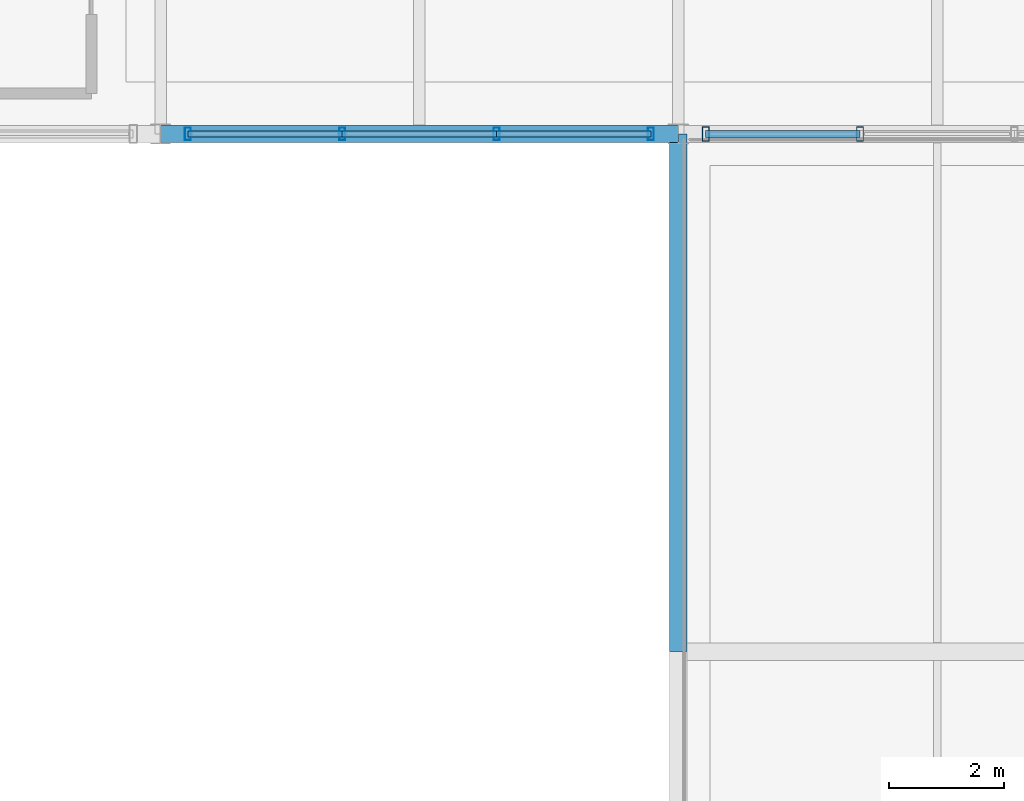
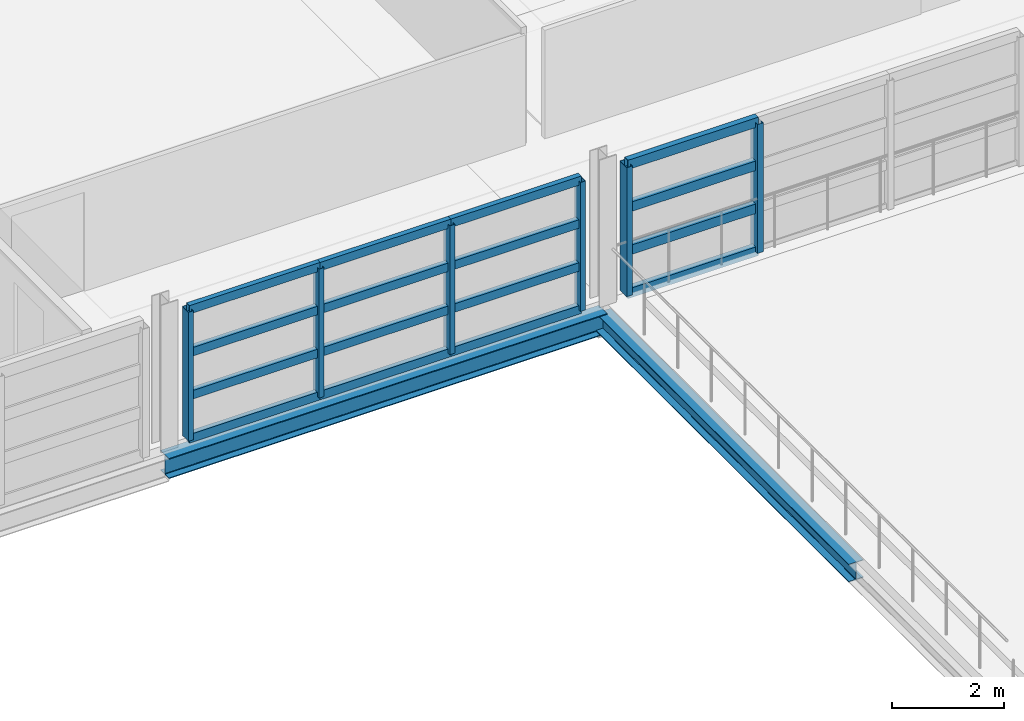
# One storey, part 8 of 30: 22 members, 2 beams, 2 elements without a shape of their own.
"""IFC4 building model written with IfcOpenShell, lengths in metres."""

from ifc_helpers import new_model, si_unit, direction, frame, origin, origin_2d, place, context, subcontext, project, spatial, hollow_rectangle, i_section, extrude, material, material_profile, profile_set, type_object, element, aggregate, save


model = new_model("IFC4")

# Units and contexts
model_context = context("Model", 3, precision=1e-05, world=origin(), true_north=direction((0.0, 1.0)))
body_context = subcontext(model_context, "Body", "Model", "MODEL_VIEW")
ifc_project = project(units=[si_unit("LENGTHUNIT", "METRE"), si_unit("AREAUNIT", "SQUARE_METRE"), si_unit("VOLUMEUNIT", "CUBIC_METRE"), si_unit("PLANEANGLEUNIT", "RADIAN"), si_unit("MASSUNIT", "GRAM", prefix="KILO")], contexts=[model_context])

# Site, building, storey
site_placement = place(None, origin())
site = spatial("IfcSite", under=ifc_project, at=site_placement, CompositionType="ELEMENT")
building_placement = place(site_placement, origin())
building = spatial("IfcBuilding", under=site, at=building_placement, Name="Chuanluo Vaults Station", CompositionType="ELEMENT")
storey_placement = place(building_placement, frame((0.0, 0.0, 17.60009765625)))
storey = spatial("IfcBuildingStorey", under=building, at=storey_placement, Name="L04", CompositionType="ELEMENT", Elevation=17.60009765625)

# Beams
ifc_material_1 = material(Name="Steel Q355C", Category="steel")
ifc_material_profile_1 = material_profile(ifc_material_1, i_section(OverallWidth=0.300048828125, OverallDepth=0.389892578125, WebThickness=0.010009765625, FlangeThickness=0.01611328125, FilletRadius=0.02001953125, at=origin_2d()))
ifc_profile_set_1 = profile_set([ifc_material_profile_1], Name="Steel Q355C")
beam_type_1 = type_object("IfcBeamType", Name="BM-GRD-400", PredefinedType="BEAM", material=ifc_profile_set_1)
beam_1_placement = place(storey_placement, frame((145.0, 94.5, -0.425048828125), z_axis=(0.0, 1.0, 0.0), x_axis=(-1.0, 0.0, 0.0)))
element("IfcBeam", 1, at=beam_1_placement, inside=storey, type_object=beam_type_1, Name="Floor girder BM:GY:L04:0913", PredefinedType="BEAM", context=body_context, shape_type="SweptSolid", body=[
    extrude(i_section(OverallWidth=0.300048828125, OverallDepth=0.389892578125, WebThickness=0.010009765625, FlangeThickness=0.01611328125, FilletRadius=0.02001953125, at=origin_2d()), origin(), (0.0, 0.0, 1.0), 9.0),
])
ifc_material_2 = material(Name="Steel Q355C", Category="steel")
ifc_material_profile_2 = material_profile(ifc_material_2, i_section(OverallWidth=0.300048828125, OverallDepth=0.43994140625, WebThickness=0.010986328125, FlangeThickness=0.01806640625, FilletRadius=0.02001953125, at=origin_2d()))
ifc_profile_set_2 = profile_set([ifc_material_profile_2], Name="Steel Q355C")
beam_type_2 = type_object("IfcBeamType", Name="BM-GRD-450", PredefinedType="USERDEFINED", material=ifc_profile_set_2)
beam_2_placement = place(storey_placement, frame((136.0, 103.5, -0.420166015625), z_axis=(1.0, 0.0, 0.0), x_axis=(0.0, 1.0, 0.0)))
element("IfcBeam", 2, at=beam_2_placement, inside=storey, type_object=beam_type_2, Name="Floor girder BM:GX:L04:0877", ObjectType="GIRDER", PredefinedType="USERDEFINED", context=body_context, shape_type="SweptSolid", body=[
    extrude(i_section(OverallWidth=0.300048828125, OverallDepth=0.43994140625, WebThickness=0.010986328125, FlangeThickness=0.01806640625, FilletRadius=0.02001953125, at=origin_2d()), origin(), (0.0, 0.0, 1.0), 9.0),
])

# Curtain wall, members
ifc_material_3 = material(Name="Anodised aluminium 6063-T6", Category="aluminium")
curtain_wall_type_1 = type_object("IfcCurtainWallType", Name="CW-SYS-12", PredefinedType="NOTDEFINED", material=ifc_material_3)
curtain_wall_1_placement = place(storey_placement, origin())
curtain_wall_1 = element("IfcCurtainWall", 3, at=curtain_wall_1_placement, inside=storey, type_object=curtain_wall_type_1, Name="Operations L04 facade CW", PredefinedType="NOTDEFINED")
ifc_material_4 = material(Name="Anodised aluminium 6063-T6", Category="aluminium")
ifc_material_profile_3 = material_profile(ifc_material_4, hollow_rectangle(XDim=0.10498046875, YDim=0.219970703125, WallThickness=0.006103515625, at=origin_2d()))
ifc_profile_set_3 = profile_set([ifc_material_profile_3], Name="Anodised aluminium 6063-T6")
member_type_1 = type_object("IfcMemberType", Name="CWM-140", PredefinedType="MULLION", material=ifc_profile_set_3)
member_1_placement = place(storey_placement, frame((144.52490234375, 103.5, 0.0), z_axis=(0.0, 0.0, 1.0), x_axis=(-1.0, 0.0, 0.0)))
member_1 = element("IfcMember", 4, at=member_1_placement, type_object=member_type_1, Name="Operations L04 facade CW mullion 1", PredefinedType="MULLION", context=body_context, shape_type="SweptSolid", body=[
    extrude(hollow_rectangle(XDim=0.10498046875, YDim=0.219970703125, WallThickness=0.006103515625, at=origin_2d()), origin(), (0.0, 0.0, 1.0), 2.7998046875),
])
member_2_placement = place(storey_placement, frame((141.841796875, 103.5, 0.0), z_axis=(0.0, 0.0, 1.0), x_axis=(-1.0, 0.0, 0.0)))
member_2 = element("IfcMember", 5, at=member_2_placement, type_object=member_type_1, Name="Operations L04 facade CW mullion 2", PredefinedType="MULLION", context=body_context, shape_type="SweptSolid", body=[
    extrude(hollow_rectangle(XDim=0.10498046875, YDim=0.219970703125, WallThickness=0.006103515625, at=origin_2d()), origin(), (0.0, 0.0, 1.0), 2.7998046875),
])
member_3_placement = place(storey_placement, frame((139.158203125, 103.5, 0.0), z_axis=(0.0, 0.0, 1.0), x_axis=(-1.0, 0.0, 0.0)))
member_3 = element("IfcMember", 6, at=member_3_placement, type_object=member_type_1, Name="Operations L04 facade CW mullion 3", PredefinedType="MULLION", context=body_context, shape_type="SweptSolid", body=[
    extrude(hollow_rectangle(XDim=0.10498046875, YDim=0.219970703125, WallThickness=0.006103515625, at=origin_2d()), origin(), (0.0, 0.0, 1.0), 2.7998046875),
])
member_4_placement = place(storey_placement, frame((136.47509765625, 103.5, 0.0), z_axis=(0.0, 0.0, 1.0), x_axis=(-1.0, 0.0, 0.0)))
member_4 = element("IfcMember", 7, at=member_4_placement, type_object=member_type_1, Name="Operations L04 facade CW mullion 4", PredefinedType="MULLION", context=body_context, shape_type="SweptSolid", body=[
    extrude(hollow_rectangle(XDim=0.10498046875, YDim=0.219970703125, WallThickness=0.006103515625, at=origin_2d()), origin(), (0.0, 0.0, 1.0), 2.7998046875),
])

ifc_material_5 = material(Name="Anodised aluminium 6063-T6", Category="aluminium")
curtain_wall_type_2 = type_object("IfcCurtainWallType", Name="CW-SYS-11", PredefinedType="NOTDEFINED", material=ifc_material_5)
curtain_wall_2_placement = place(storey_placement, origin())
curtain_wall_2 = element("IfcCurtainWall", 8, at=curtain_wall_2_placement, inside=storey, type_object=curtain_wall_type_2, Name="Operations L04 facade CW", PredefinedType="NOTDEFINED")
ifc_material_6 = material(Name="Anodised aluminium 6063-T6", Category="aluminium")
ifc_material_profile_4 = material_profile(ifc_material_6, hollow_rectangle(XDim=0.1201171875, YDim=0.25, WallThickness=0.006103515625, at=origin_2d()))
ifc_profile_set_4 = profile_set([ifc_material_profile_4], Name="Anodised aluminium 6063-T6")
member_type_2 = type_object("IfcMemberType", Name="CWM-160", PredefinedType="MULLION", material=ifc_profile_set_4)
member_5_placement = place(storey_placement, frame((148.158203125, 103.5, 0.0), z_axis=(0.0, 0.0, 1.0), x_axis=(-1.0, 0.0, 0.0)))
member_5 = element("IfcMember", 9, at=member_5_placement, type_object=member_type_2, Name="Operations L04 facade CW mullion 3", PredefinedType="MULLION", context=body_context, shape_type="SweptSolid", body=[
    extrude(hollow_rectangle(XDim=0.1201171875, YDim=0.25, WallThickness=0.006103515625, at=origin_2d()), origin(), (0.0, 0.0, 1.0), 2.7998046875),
])
member_6_placement = place(storey_placement, frame((145.47509765625, 103.5, 0.0), z_axis=(0.0, 0.0, 1.0), x_axis=(-1.0, 0.0, 0.0)))
member_6 = element("IfcMember", 10, at=member_6_placement, type_object=member_type_2, Name="Operations L04 facade CW mullion 4", PredefinedType="MULLION", context=body_context, shape_type="SweptSolid", body=[
    extrude(hollow_rectangle(XDim=0.1201171875, YDim=0.25, WallThickness=0.006103515625, at=origin_2d()), origin(), (0.0, 0.0, 1.0), 2.7998046875),
])

# Member
ifc_material_7 = material(Name="Anodised aluminium 6063-T6", Category="aluminium")
ifc_material_profile_5 = material_profile(ifc_material_7, hollow_rectangle(XDim=0.10498046875, YDim=0.18505859375, WallThickness=0.0048828125, at=origin_2d()))
ifc_profile_set_5 = profile_set([ifc_material_profile_5], Name="Anodised aluminium 6063-T6")
member_type_3 = type_object("IfcMemberType", Name="CWT-110", PredefinedType="USERDEFINED", material=ifc_profile_set_5)
member_7_placement = place(storey_placement, frame((144.52490234375, 103.5, 0.0), z_axis=(-1.0, 0.0, 0.0), x_axis=(0.0, -1.0, 0.0)))
member_7 = element("IfcMember", 11, at=member_7_placement, type_object=member_type_3, Name="Operations L04 facade CW transom 1.1", ObjectType="TRANSOM", PredefinedType="USERDEFINED", context=body_context, shape_type="SweptSolid", body=[
    extrude(hollow_rectangle(XDim=0.10498046875, YDim=0.18505859375, WallThickness=0.0048828125, at=origin_2d()), origin(), (0.0, 0.0, 1.0), 2.68310546875),
])

member_8_placement = place(storey_placement, frame((144.52490234375, 103.5, 0.93310546875), z_axis=(-1.0, 0.0, 0.0), x_axis=(0.0, -1.0, 0.0)))
member_8 = element("IfcMember", 12, at=member_8_placement, type_object=member_type_3, Name="Operations L04 facade CW transom 1.2", ObjectType="TRANSOM", PredefinedType="USERDEFINED", context=body_context, shape_type="SweptSolid", body=[
    extrude(hollow_rectangle(XDim=0.10498046875, YDim=0.18505859375, WallThickness=0.0048828125, at=origin_2d()), origin(), (0.0, 0.0, 1.0), 2.68310546875),
])

member_9_placement = place(storey_placement, frame((144.52490234375, 103.5, 1.86669921875), z_axis=(-1.0, 0.0, 0.0), x_axis=(0.0, -1.0, 0.0)))
member_9 = element("IfcMember", 13, at=member_9_placement, type_object=member_type_3, Name="Operations L04 facade CW transom 1.3", ObjectType="TRANSOM", PredefinedType="USERDEFINED", context=body_context, shape_type="SweptSolid", body=[
    extrude(hollow_rectangle(XDim=0.10498046875, YDim=0.18505859375, WallThickness=0.0048828125, at=origin_2d()), origin(), (0.0, 0.0, 1.0), 2.68310546875),
])

member_10_placement = place(storey_placement, frame((144.52490234375, 103.5, 2.7998046875), z_axis=(-1.0, 0.0, 0.0), x_axis=(0.0, -1.0, 0.0)))
member_10 = element("IfcMember", 14, at=member_10_placement, type_object=member_type_3, Name="Operations L04 facade CW transom 1.4", ObjectType="TRANSOM", PredefinedType="USERDEFINED", context=body_context, shape_type="SweptSolid", body=[
    extrude(hollow_rectangle(XDim=0.10498046875, YDim=0.18505859375, WallThickness=0.0048828125, at=origin_2d()), origin(), (0.0, 0.0, 1.0), 2.68310546875),
])

member_11_placement = place(storey_placement, frame((141.841796875, 103.5, 0.0), z_axis=(-1.0, 0.0, 0.0), x_axis=(0.0, -1.0, 0.0)))
member_11 = element("IfcMember", 15, at=member_11_placement, type_object=member_type_3, Name="Operations L04 facade CW transom 2.1", ObjectType="TRANSOM", PredefinedType="USERDEFINED", context=body_context, shape_type="SweptSolid", body=[
    extrude(hollow_rectangle(XDim=0.10498046875, YDim=0.18505859375, WallThickness=0.0048828125, at=origin_2d()), origin(), (0.0, 0.0, 1.0), 2.68359375),
])

member_12_placement = place(storey_placement, frame((141.841796875, 103.5, 0.93310546875), z_axis=(-1.0, 0.0, 0.0), x_axis=(0.0, -1.0, 0.0)))
member_12 = element("IfcMember", 16, at=member_12_placement, type_object=member_type_3, Name="Operations L04 facade CW transom 2.2", ObjectType="TRANSOM", PredefinedType="USERDEFINED", context=body_context, shape_type="SweptSolid", body=[
    extrude(hollow_rectangle(XDim=0.10498046875, YDim=0.18505859375, WallThickness=0.0048828125, at=origin_2d()), origin(), (0.0, 0.0, 1.0), 2.68359375),
])

member_13_placement = place(storey_placement, frame((141.841796875, 103.5, 1.86669921875), z_axis=(-1.0, 0.0, 0.0), x_axis=(0.0, -1.0, 0.0)))
member_13 = element("IfcMember", 17, at=member_13_placement, type_object=member_type_3, Name="Operations L04 facade CW transom 2.3", ObjectType="TRANSOM", PredefinedType="USERDEFINED", context=body_context, shape_type="SweptSolid", body=[
    extrude(hollow_rectangle(XDim=0.10498046875, YDim=0.18505859375, WallThickness=0.0048828125, at=origin_2d()), origin(), (0.0, 0.0, 1.0), 2.68359375),
])

member_14_placement = place(storey_placement, frame((141.841796875, 103.5, 2.7998046875), z_axis=(-1.0, 0.0, 0.0), x_axis=(0.0, -1.0, 0.0)))
member_14 = element("IfcMember", 18, at=member_14_placement, type_object=member_type_3, Name="Operations L04 facade CW transom 2.4", ObjectType="TRANSOM", PredefinedType="USERDEFINED", context=body_context, shape_type="SweptSolid", body=[
    extrude(hollow_rectangle(XDim=0.10498046875, YDim=0.18505859375, WallThickness=0.0048828125, at=origin_2d()), origin(), (0.0, 0.0, 1.0), 2.68359375),
])

member_15_placement = place(storey_placement, frame((139.158203125, 103.5, 0.0), z_axis=(-1.0, 0.0, 0.0), x_axis=(0.0, -1.0, 0.0)))
member_15 = element("IfcMember", 19, at=member_15_placement, type_object=member_type_3, Name="Operations L04 facade CW transom 3.1", ObjectType="TRANSOM", PredefinedType="USERDEFINED", context=body_context, shape_type="SweptSolid", body=[
    extrude(hollow_rectangle(XDim=0.10498046875, YDim=0.18505859375, WallThickness=0.0048828125, at=origin_2d()), origin(), (0.0, 0.0, 1.0), 2.68310546875),
])

member_16_placement = place(storey_placement, frame((139.158203125, 103.5, 0.93310546875), z_axis=(-1.0, 0.0, 0.0), x_axis=(0.0, -1.0, 0.0)))
member_16 = element("IfcMember", 20, at=member_16_placement, type_object=member_type_3, Name="Operations L04 facade CW transom 3.2", ObjectType="TRANSOM", PredefinedType="USERDEFINED", context=body_context, shape_type="SweptSolid", body=[
    extrude(hollow_rectangle(XDim=0.10498046875, YDim=0.18505859375, WallThickness=0.0048828125, at=origin_2d()), origin(), (0.0, 0.0, 1.0), 2.68310546875),
])

member_17_placement = place(storey_placement, frame((139.158203125, 103.5, 1.86669921875), z_axis=(-1.0, 0.0, 0.0), x_axis=(0.0, -1.0, 0.0)))
member_17 = element("IfcMember", 21, at=member_17_placement, type_object=member_type_3, Name="Operations L04 facade CW transom 3.3", ObjectType="TRANSOM", PredefinedType="USERDEFINED", context=body_context, shape_type="SweptSolid", body=[
    extrude(hollow_rectangle(XDim=0.10498046875, YDim=0.18505859375, WallThickness=0.0048828125, at=origin_2d()), origin(), (0.0, 0.0, 1.0), 2.68310546875),
])

member_18_placement = place(storey_placement, frame((139.158203125, 103.5, 2.7998046875), z_axis=(-1.0, 0.0, 0.0), x_axis=(0.0, -1.0, 0.0)))
member_18 = element("IfcMember", 22, at=member_18_placement, type_object=member_type_3, Name="Operations L04 facade CW transom 3.4", ObjectType="TRANSOM", PredefinedType="USERDEFINED", context=body_context, shape_type="SweptSolid", body=[
    extrude(hollow_rectangle(XDim=0.10498046875, YDim=0.18505859375, WallThickness=0.0048828125, at=origin_2d()), origin(), (0.0, 0.0, 1.0), 2.68310546875),
])

aggregate(curtain_wall_1, [member_1, member_2, member_3, member_4, member_7, member_8, member_9, member_10, member_11, member_12, member_13, member_14, member_15, member_16, member_17, member_18])

ifc_material_8 = material(Name="Anodised aluminium 6063-T6", Category="aluminium")
ifc_material_profile_6 = material_profile(ifc_material_8, hollow_rectangle(XDim=0.1201171875, YDim=0.205078125, WallThickness=0.006103515625, at=origin_2d()))
ifc_profile_set_6 = profile_set([ifc_material_profile_6], Name="Anodised aluminium 6063-T6")
member_type_4 = type_object("IfcMemberType", Name="CWT-130", PredefinedType="USERDEFINED", material=ifc_profile_set_6)
member_19_placement = place(storey_placement, frame((148.158203125, 103.5, 0.0), z_axis=(-1.0, 0.0, 0.0), x_axis=(0.0, -1.0, 0.0)))
member_19 = element("IfcMember", 23, at=member_19_placement, type_object=member_type_4, Name="Operations L04 facade CW transom 3.1", ObjectType="TRANSOM", PredefinedType="USERDEFINED", context=body_context, shape_type="SweptSolid", body=[
    extrude(hollow_rectangle(XDim=0.1201171875, YDim=0.205078125, WallThickness=0.006103515625, at=origin_2d()), origin(), (0.0, 0.0, 1.0), 2.68310546875),
])

member_20_placement = place(storey_placement, frame((148.158203125, 103.5, 0.93310546875), z_axis=(-1.0, 0.0, 0.0), x_axis=(0.0, -1.0, 0.0)))
member_20 = element("IfcMember", 24, at=member_20_placement, type_object=member_type_4, Name="Operations L04 facade CW transom 3.2", ObjectType="TRANSOM", PredefinedType="USERDEFINED", context=body_context, shape_type="SweptSolid", body=[
    extrude(hollow_rectangle(XDim=0.1201171875, YDim=0.205078125, WallThickness=0.006103515625, at=origin_2d()), origin(), (0.0, 0.0, 1.0), 2.68310546875),
])

member_21_placement = place(storey_placement, frame((148.158203125, 103.5, 1.86669921875), z_axis=(-1.0, 0.0, 0.0), x_axis=(0.0, -1.0, 0.0)))
member_21 = element("IfcMember", 25, at=member_21_placement, type_object=member_type_4, Name="Operations L04 facade CW transom 3.3", ObjectType="TRANSOM", PredefinedType="USERDEFINED", context=body_context, shape_type="SweptSolid", body=[
    extrude(hollow_rectangle(XDim=0.1201171875, YDim=0.205078125, WallThickness=0.006103515625, at=origin_2d()), origin(), (0.0, 0.0, 1.0), 2.68310546875),
])

member_22_placement = place(storey_placement, frame((148.158203125, 103.5, 2.7998046875), z_axis=(-1.0, 0.0, 0.0), x_axis=(0.0, -1.0, 0.0)))
member_22 = element("IfcMember", 26, at=member_22_placement, type_object=member_type_4, Name="Operations L04 facade CW transom 3.4", ObjectType="TRANSOM", PredefinedType="USERDEFINED", context=body_context, shape_type="SweptSolid", body=[
    extrude(hollow_rectangle(XDim=0.1201171875, YDim=0.205078125, WallThickness=0.006103515625, at=origin_2d()), origin(), (0.0, 0.0, 1.0), 2.68310546875),
])

aggregate(curtain_wall_2, [member_5, member_6, member_19, member_20, member_21, member_22])

save(model, "model.ifc")
